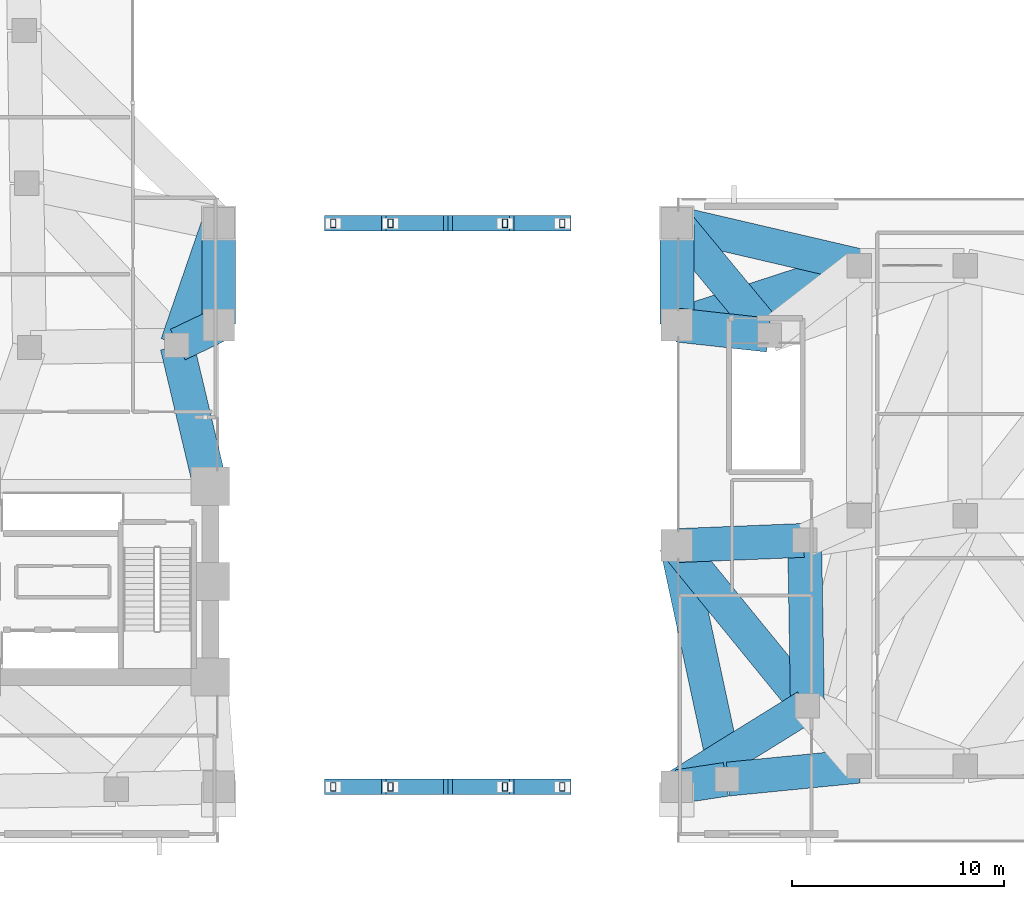
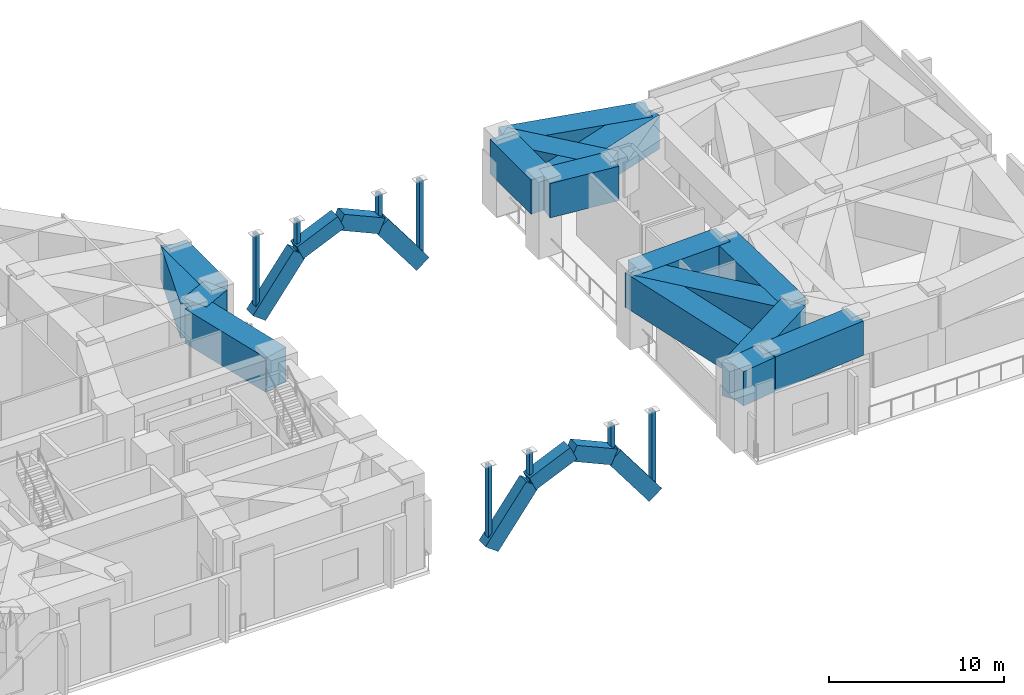
# One storey, part 2 of 15: 24 beams, 8 members.
"""IFC4 building model written with IfcOpenShell, lengths in metres."""

from ifc_helpers import new_model, si_unit, direction, frame, origin, origin_2d, place, context, subcontext, project, spatial, rectangle, hollow_rectangle, extrude, material, material_profile, profile_set, type_object, element, save


model = new_model("IFC4")

# Units and contexts
model_context = context("Model", 3, precision=1e-05, world=origin(), true_north=direction((0.0, 1.0)))
body_context = subcontext(model_context, "Body", "Model", "MODEL_VIEW")
ifc_project = project(units=[si_unit("LENGTHUNIT", "METRE"), si_unit("AREAUNIT", "SQUARE_METRE"), si_unit("VOLUMEUNIT", "CUBIC_METRE"), si_unit("PLANEANGLEUNIT", "RADIAN"), si_unit("MASSUNIT", "GRAM", prefix="KILO")], contexts=[model_context])

# Site, building, storey
site_placement = place(None, origin())
site = spatial("IfcSite", under=ifc_project, at=site_placement, CompositionType="ELEMENT")
building_placement = place(site_placement, origin())
building = spatial("IfcBuilding", under=site, at=building_placement, Name="Gaonmaruhae Medical Tower", CompositionType="ELEMENT")
storey_placement = place(building_placement, frame((0.0, 0.0, 21.60009765625)))
storey = spatial("IfcBuildingStorey", under=building, at=storey_placement, Name="L04", CompositionType="ELEMENT", Elevation=21.60009765625)

# Beams
ifc_material_1 = material(Name="Concrete C60/75", Category="concrete")
ifc_material_profile_1 = material_profile(ifc_material_1, rectangle(XDim=0.75, YDim=1.050048828125, at=origin_2d()), Name="RCG-750x1050")
ifc_profile_set_1 = profile_set([ifc_material_profile_1], Name="Concrete C60/75")
beam_type_1 = type_object("IfcBeamType", Name="AG-01 Portal Arch Rib Girder (RCG-750x1050)", PredefinedType="BEAM", material=ifc_profile_set_1)
beam_1_placement = place(storey_placement, frame((41.39990234375, 2.6259765625, -1.800048828125), z_axis=(0.600043401895, 0.0, 0.799967446739), x_axis=(0.0, 1.0, 0.0)))
element("IfcBeam", 1, at=beam_1_placement, inside=storey, type_object=beam_type_1, Name="Portal Arch Faceted Rib S03", PredefinedType="BEAM", context=body_context, shape_type="SweptSolid", body=[
    extrude(rectangle(XDim=0.75, YDim=1.050048828125, at=origin_2d()), origin(), (0.0, 0.0, 1.0), 4.5),
])
for number, where, z_axis, x_axis, name in (
    (2, (44.10009765625, 2.6259765625, 1.7998046875), (0.913784287804, 0.0, 0.406199797345), (0.0, 1.0, 0.0), "Portal Arch Faceted Rib S04"),
    (3, (46.800048828125, 2.6259765625, 3.0), (0.913784287804, 0.0, -0.406199797345), (0.0, 1.0, 0.0), "Portal Arch Faceted Rib S05"),
):
    element("IfcBeam", number, at=place(storey_placement, frame(where, z_axis=z_axis, x_axis=x_axis)), inside=storey, type_object=beam_type_1, Name=name, PredefinedType="BEAM", context=body_context, shape_type="SweptSolid", body=[
        extrude(rectangle(XDim=0.75, YDim=1.050048828125, at=origin_2d()), origin(), (0.0, 0.0, 1.0), 2.95458984375),
    ])
beam_2_placement = place(storey_placement, frame((49.5, 2.6259765625, 1.7998046875), z_axis=(0.600008680803, 0.0, -0.799993489324), x_axis=(0.0, 1.0, 0.0)))
element("IfcBeam", 4, at=beam_2_placement, inside=storey, type_object=beam_type_1, Name="Portal Arch Faceted Rib S06", PredefinedType="BEAM", context=body_context, shape_type="SweptSolid", body=[
    extrude(rectangle(XDim=0.75, YDim=1.050048828125, at=origin_2d()), origin(), (0.0, 0.0, 1.0), 4.499755859375),
])
beam_3_placement = place(storey_placement, frame((41.39990234375, 29.199951171875, -1.800048828125), z_axis=(0.600043401895, 0.0, 0.799967446739), x_axis=(0.0, 1.0, 0.0)))
element("IfcBeam", 5, at=beam_3_placement, inside=storey, type_object=beam_type_1, Name="Portal Arch Faceted Rib N03", PredefinedType="BEAM", context=body_context, shape_type="SweptSolid", body=[
    extrude(rectangle(XDim=0.75, YDim=1.050048828125, at=origin_2d()), origin(), (0.0, 0.0, 1.0), 4.5),
])
for number, where, z_axis, x_axis, name in (
    (6, (44.10009765625, 29.199951171875, 1.7998046875), (0.913784287804, 0.0, 0.406199797345), (0.0, 1.0, 0.0), "Portal Arch Faceted Rib N04"),
    (7, (46.800048828125, 29.199951171875, 3.0), (0.913784287804, 0.0, -0.406199797345), (0.0, 1.0, 0.0), "Portal Arch Faceted Rib N05"),
):
    element("IfcBeam", number, at=place(storey_placement, frame(where, z_axis=z_axis, x_axis=x_axis)), inside=storey, type_object=beam_type_1, Name=name, PredefinedType="BEAM", context=body_context, shape_type="SweptSolid", body=[
        extrude(rectangle(XDim=0.75, YDim=1.050048828125, at=origin_2d()), origin(), (0.0, 0.0, 1.0), 2.95458984375),
    ])
beam_4_placement = place(storey_placement, frame((49.5, 29.199951171875, 1.7998046875), z_axis=(0.600008680803, 0.0, -0.799993489324), x_axis=(0.0, 1.0, 0.0)))
element("IfcBeam", 8, at=beam_4_placement, inside=storey, type_object=beam_type_1, Name="Portal Arch Faceted Rib N06", PredefinedType="BEAM", context=body_context, shape_type="SweptSolid", body=[
    extrude(rectangle(XDim=0.75, YDim=1.050048828125, at=origin_2d()), origin(), (0.0, 0.0, 1.0), 4.499755859375),
])

# Members
ifc_material_2 = material(Name="Steel SM420", Category="steel")
ifc_material_profile_2 = material_profile(ifc_material_2, hollow_rectangle(XDim=0.25, YDim=0.39990234375, WallThickness=0.01611328125, at=origin_2d()), Name="RHS-400x250x16")
ifc_profile_set_2 = profile_set([ifc_material_profile_2], Name="Steel SM420")
member_type = type_object("IfcMemberType", Name="ST-M1 Portal Arch Tie Compression Strut (RHS-400x250x16)", PredefinedType="STRUT", material=ifc_profile_set_2)
member_1_placement = place(storey_placement, frame((41.39990234375, 2.6259765625, -1.800048828125), z_axis=(0.0, 0.0, 1.0), x_axis=(1.0, 0.0, 0.0)))
element("IfcMember", 9, at=member_1_placement, inside=storey, type_object=member_type, Name="Portal Arch Spandrel Strut S2", PredefinedType="STRUT", context=body_context, shape_type="SweptSolid", body=[
    extrude(hollow_rectangle(XDim=0.25, YDim=0.39990234375, WallThickness=0.01611328125, at=origin_2d()), origin(), (0.0, 0.0, 1.0), 5.699951171875),
])
for number, where, z_axis, x_axis, name in (
    (10, (44.10009765625, 2.6259765625, 1.7998046875), (0.0, 0.0, 1.0), (1.0, 0.0, 0.0), "Portal Arch Spandrel Strut S3"),
    (11, (49.5, 2.6259765625, 1.7998046875), (0.0, 0.0, 1.0), (1.0, 0.0, 0.0), "Portal Arch Spandrel Strut S5"),
):
    element("IfcMember", number, at=place(storey_placement, frame(where, z_axis=z_axis, x_axis=x_axis)), inside=storey, type_object=member_type, Name=name, PredefinedType="STRUT", context=body_context, shape_type="SweptSolid", body=[
        extrude(hollow_rectangle(XDim=0.25, YDim=0.39990234375, WallThickness=0.01611328125, at=origin_2d()), origin(), (0.0, 0.0, 1.0), 2.10009765625),
    ])
for number, where, z_axis, x_axis, name in (
    (12, (52.199951171875, 2.6259765625, -1.800048828125), (0.0, 0.0, 1.0), (1.0, 0.0, 0.0), "Portal Arch Spandrel Strut S6"),
    (13, (41.39990234375, 29.199951171875, -1.800048828125), (0.0, 0.0, 1.0), (1.0, 0.0, 0.0), "Portal Arch Spandrel Strut N2"),
):
    element("IfcMember", number, at=place(storey_placement, frame(where, z_axis=z_axis, x_axis=x_axis)), inside=storey, type_object=member_type, Name=name, PredefinedType="STRUT", context=body_context, shape_type="SweptSolid", body=[
        extrude(hollow_rectangle(XDim=0.25, YDim=0.39990234375, WallThickness=0.01611328125, at=origin_2d()), origin(), (0.0, 0.0, 1.0), 5.699951171875),
    ])
for number, where, z_axis, x_axis, name in (
    (14, (44.10009765625, 29.199951171875, 1.7998046875), (0.0, 0.0, 1.0), (1.0, 0.0, 0.0), "Portal Arch Spandrel Strut N3"),
    (15, (49.5, 29.199951171875, 1.7998046875), (0.0, 0.0, 1.0), (1.0, 0.0, 0.0), "Portal Arch Spandrel Strut N5"),
):
    element("IfcMember", number, at=place(storey_placement, frame(where, z_axis=z_axis, x_axis=x_axis)), inside=storey, type_object=member_type, Name=name, PredefinedType="STRUT", context=body_context, shape_type="SweptSolid", body=[
        extrude(hollow_rectangle(XDim=0.25, YDim=0.39990234375, WallThickness=0.01611328125, at=origin_2d()), origin(), (0.0, 0.0, 1.0), 2.10009765625),
    ])
member_2_placement = place(storey_placement, frame((52.199951171875, 29.199951171875, -1.800048828125), z_axis=(0.0, 0.0, 1.0), x_axis=(1.0, 0.0, 0.0)))
element("IfcMember", 16, at=member_2_placement, inside=storey, type_object=member_type, Name="Portal Arch Spandrel Strut N6", PredefinedType="STRUT", context=body_context, shape_type="SweptSolid", body=[
    extrude(hollow_rectangle(XDim=0.25, YDim=0.39990234375, WallThickness=0.01611328125, at=origin_2d()), origin(), (0.0, 0.0, 1.0), 5.699951171875),
])

# Beams
ifc_material_profile_3 = material_profile(ifc_material_1, rectangle(XDim=1.60009765625, YDim=2.39990234375, at=origin_2d()), Name="TG-1600x2400")
ifc_profile_set_3 = profile_set([ifc_material_profile_3], Name="Concrete C60/75")
beam_type_2 = type_object("IfcBeamType", Name="TG-01I Portal Arch Interior Transfer Girder (TG-1600x2400)", PredefinedType="BEAM", material=ifc_profile_set_3)
beam_5_placement = place(storey_placement, frame((57.6494140625, 2.633544921875, 3.89990234375), z_axis=(0.988739394413, 0.149647619213, 0.0), x_axis=(-0.149647619213, 0.988739394413, 0.0)))
element("IfcBeam", 17, at=beam_5_placement, inside=storey, type_object=beam_type_2, Name="L04 Beam BM-L04-PG003", PredefinedType="BEAM", context=body_context, shape_type="SweptSolid", body=[
    extrude(rectangle(XDim=1.60009765625, YDim=2.39990234375, at=origin_2d()), origin(), (0.0, 0.0, 1.0), 2.292236328125),
])
beam_6_placement = place(storey_placement, frame((57.642578125, 2.65234375, 3.89990234375), z_axis=(0.849690298429, 0.527282084614, 0.0), x_axis=(-0.527282084614, 0.849690298429, 0.0)))
element("IfcBeam", 18, at=beam_6_placement, inside=storey, type_object=beam_type_2, Name="L04 Beam BM-L04-PG004", PredefinedType="BEAM", context=body_context, shape_type="SweptSolid", body=[
    extrude(rectangle(XDim=1.60009765625, YDim=2.39990234375, at=origin_2d()), origin(), (0.0, 0.0, 1.0), 7.147705078125),
])
beam_7_placement = place(storey_placement, frame((57.64990234375, 14.001953125, 3.89990234375), z_axis=(0.999165142421, 0.04085361881, 0.0), x_axis=(-0.04085361881, 0.999165142421, 0.0)))
element("IfcBeam", 19, at=beam_7_placement, inside=storey, type_object=beam_type_2, Name="L04 Beam BM-L04-PG005", PredefinedType="BEAM", context=body_context, shape_type="SweptSolid", body=[
    extrude(rectangle(XDim=1.60009765625, YDim=2.39990234375, at=origin_2d()), origin(), (0.0, 0.0, 1.0), 5.93408203125),
])
beam_8_placement = place(storey_placement, frame((57.631591796875, 13.961181640625, 3.89990234375), z_axis=(0.631959132542, -0.77500171277, 0.0), x_axis=(0.77500171277, 0.631959132542, 0.0)))
element("IfcBeam", 20, at=beam_8_placement, inside=storey, type_object=beam_type_2, Name="L04 Beam BM-L04-PG006", PredefinedType="BEAM", context=body_context, shape_type="SweptSolid", body=[
    extrude(rectangle(XDim=1.60009765625, YDim=2.39990234375, at=origin_2d()), origin(), (0.0, 0.0, 1.0), 9.64501953125),
])
beam_9_placement = place(storey_placement, frame((35.954833984375, 24.37841796875, 3.89990234375), z_axis=(-0.902607868555, -0.430463744841, 0.0), x_axis=(0.430463744841, -0.902607868555, 0.0)))
element("IfcBeam", 21, at=beam_9_placement, inside=storey, type_object=beam_type_2, Name="L04 Beam BM-L04-PG007", PredefinedType="BEAM", context=body_context, shape_type="SweptSolid", body=[
    extrude(rectangle(XDim=1.60009765625, YDim=2.39990234375, at=origin_2d()), origin(), (0.0, 0.0, 1.0), 2.091064453125),
])
beam_10_placement = place(storey_placement, frame((36.0, 24.449951171875, 3.89990234375), z_axis=(0.0, 1.0, 0.0), x_axis=(-1.0, 0.0, 0.0)))
element("IfcBeam", 22, at=beam_10_placement, inside=storey, type_object=beam_type_2, Name="L04 Beam BM-L04-PG008", PredefinedType="BEAM", context=body_context, shape_type="SweptSolid", body=[
    extrude(rectangle(XDim=1.60009765625, YDim=2.39990234375, at=origin_2d()), origin(), (0.0, 0.0, 1.0), 4.699951171875),
])
beam_11_placement = place(storey_placement, frame((57.649658203125, 24.39453125, 3.89990234375), z_axis=(0.994019545115, -0.109202307341, 0.0), x_axis=(0.109202307341, 0.994019545115, 0.0)))
element("IfcBeam", 23, at=beam_11_placement, inside=storey, type_object=beam_type_2, Name="L04 Beam BM-L04-PG009", PredefinedType="BEAM", context=body_context, shape_type="SweptSolid", body=[
    extrude(rectangle(XDim=1.60009765625, YDim=2.39990234375, at=origin_2d()), origin(), (0.0, 0.0, 1.0), 4.294677734375),
])
beam_12_placement = place(storey_placement, frame((57.60009765625, 24.449951171875, 3.89990234375), z_axis=(0.0, 1.0, 0.0), x_axis=(-1.0, 0.0, 0.0)))
element("IfcBeam", 24, at=beam_12_placement, inside=storey, type_object=beam_type_2, Name="L04 Beam BM-L04-PG010", PredefinedType="BEAM", context=body_context, shape_type="SweptSolid", body=[
    extrude(rectangle(XDim=1.60009765625, YDim=2.39990234375, at=origin_2d()), origin(), (0.0, 0.0, 1.0), 4.699951171875),
])
beam_13_placement = place(storey_placement, frame((35.983642578125, 29.15283203125, 3.89990234375), z_axis=(-0.325578822882, -0.945514902099, 0.0), x_axis=(0.945514902099, -0.325578822882, 0.0)))
element("IfcBeam", 25, at=beam_13_placement, inside=storey, type_object=beam_type_2, Name="L04 Beam BM-L04-PG011", PredefinedType="BEAM", context=body_context, shape_type="SweptSolid", body=[
    extrude(rectangle(XDim=1.60009765625, YDim=2.39990234375, at=origin_2d()), origin(), (0.0, 0.0, 1.0), 5.97412109375),
])
beam_14_placement = place(storey_placement, frame((57.6318359375, 29.161376953125, 3.89990234375), z_axis=(0.63748483708, -0.770462901439, 0.0), x_axis=(0.770462901439, 0.63748483708, 0.0)))
element("IfcBeam", 26, at=beam_14_placement, inside=storey, type_object=beam_type_2, Name="L04 Beam BM-L04-PG013", PredefinedType="BEAM", context=body_context, shape_type="SweptSolid", body=[
    extrude(rectangle(XDim=1.60009765625, YDim=2.39990234375, at=origin_2d()), origin(), (0.0, 0.0, 1.0), 6.752685546875),
])
beam_15_placement = place(storey_placement, frame((57.648681640625, 29.188720703125, 3.89990234375), z_axis=(0.974009892436, -0.226505473306, 0.0), x_axis=(0.226505473306, 0.974009892436, 0.0)))
element("IfcBeam", 27, at=beam_15_placement, inside=storey, type_object=beam_type_2, Name="L04 Beam BM-L04-PG014", PredefinedType="BEAM", context=body_context, shape_type="SweptSolid", body=[
    extrude(rectangle(XDim=1.60009765625, YDim=2.39990234375, at=origin_2d()), origin(), (0.0, 0.0, 1.0), 8.7294921875),
])
beam_16_placement = place(storey_placement, frame((60.01513671875, 2.989013671875, 3.89990234375), z_axis=(0.995157611047, 0.098292060592, 0.0), x_axis=(-0.098292060592, 0.995157611047, 0.0)))
element("IfcBeam", 28, at=beam_16_placement, inside=storey, type_object=beam_type_2, Name="L04 Beam BM-L04-PG023", PredefinedType="BEAM", context=body_context, shape_type="SweptSolid", body=[
    extrude(rectangle(XDim=1.60009765625, YDim=2.39990234375, at=origin_2d()), origin(), (0.0, 0.0, 1.0), 6.164794921875),
])
beam_17_placement = place(storey_placement, frame((59.954833984375, 3.032958984375, 3.89990234375), z_axis=(-0.209924731401, 0.977717549779, 0.0), x_axis=(-0.977717549779, -0.209924731401, 0.0)))
element("IfcBeam", 29, at=beam_17_placement, inside=storey, type_object=beam_type_2, Name="L04 Beam BM-L04-PG024", PredefinedType="BEAM", context=body_context, shape_type="SweptSolid", body=[
    extrude(rectangle(XDim=1.60009765625, YDim=2.39990234375, at=origin_2d()), origin(), (0.0, 0.0, 1.0), 11.1669921875),
])
beam_18_placement = place(storey_placement, frame((63.757568359375, 6.49755859375, 3.89990234375), z_axis=(-0.016582992443, 0.999862492727, 0.0), x_axis=(-0.999862492727, -0.016582992443, 0.0)))
element("IfcBeam", 30, at=beam_18_placement, inside=storey, type_object=beam_type_2, Name="L04 Beam BM-L04-PG026", PredefinedType="BEAM", context=body_context, shape_type="SweptSolid", body=[
    extrude(rectangle(XDim=1.60009765625, YDim=2.39990234375, at=origin_2d()), origin(), (0.0, 0.0, 1.0), 7.69970703125),
])
beam_19_placement = place(storey_placement, frame((34.033935546875, 23.408203125, 3.89990234375), z_axis=(0.230587307936, -0.973051639647, 0.0), x_axis=(0.973051639647, 0.230587307936, 0.0)))
element("IfcBeam", 31, at=beam_19_placement, inside=storey, type_object=beam_type_2, Name="L04 Beam BM-L04-PG031", PredefinedType="BEAM", context=body_context, shape_type="SweptSolid", body=[
    extrude(rectangle(XDim=1.60009765625, YDim=2.39990234375, at=origin_2d()), origin(), (0.0, 0.0, 1.0), 6.7412109375),
])
beam_20_placement = place(storey_placement, frame((66.15234375, 27.1845703125, 3.89990234375), z_axis=(-0.950871057756, -0.309587195346, 0.0), x_axis=(0.309587195346, -0.950871057756, 0.0)))
element("IfcBeam", 32, at=beam_20_placement, inside=storey, type_object=beam_type_2, Name="L04 Beam BM-L04-PG067", PredefinedType="BEAM", context=body_context, shape_type="SweptSolid", body=[
    extrude(rectangle(XDim=1.60009765625, YDim=2.39990234375, at=origin_2d()), origin(), (0.0, 0.0, 1.0), 8.9443359375),
])

save(model, "model.ifc")
